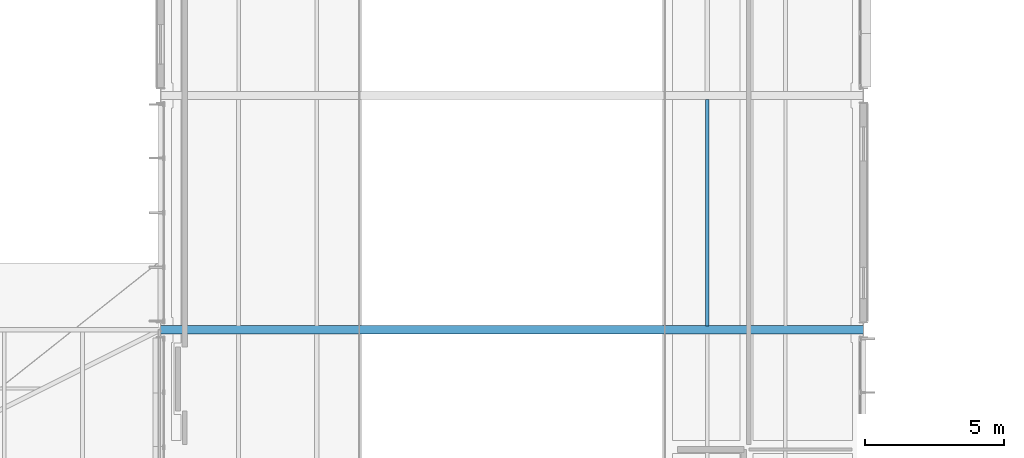
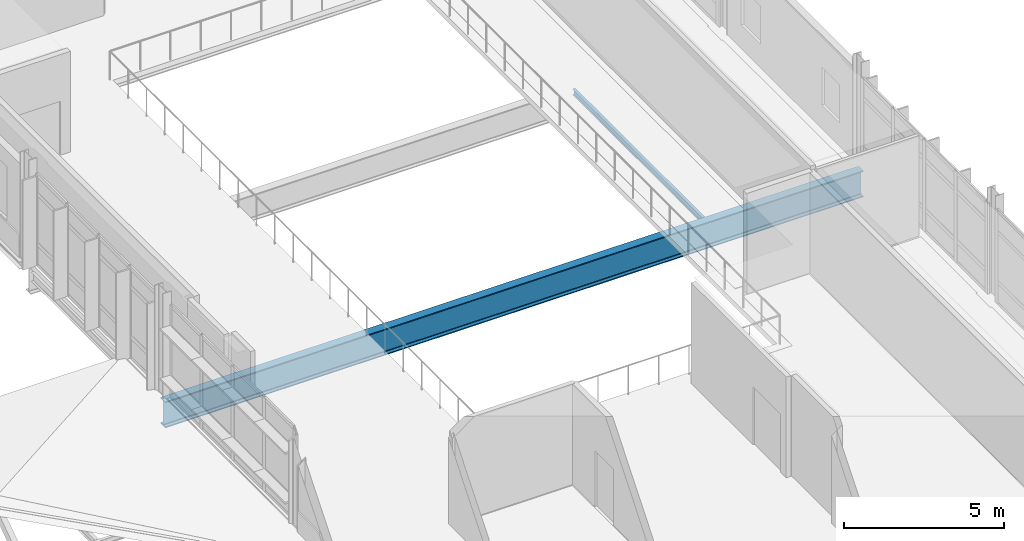
# One storey, part 35 of 151: 2 beams.
"""IFC4 building model written with IfcOpenShell, lengths in metres."""

from ifc_helpers import new_model, si_unit, direction, frame, origin, origin_2d, place, context, subcontext, project, spatial, i_section, extrude, material, material_profile, profile_set, type_object, element, save


model = new_model("IFC4")

# Units and contexts
model_context = context("Model", 3, precision=1e-05, world=origin(), true_north=direction((0.0, 1.0)))
body_context = subcontext(model_context, "Body", "Model", "MODEL_VIEW")
ifc_project = project(units=[si_unit("LENGTHUNIT", "METRE"), si_unit("AREAUNIT", "SQUARE_METRE"), si_unit("VOLUMEUNIT", "CUBIC_METRE"), si_unit("PLANEANGLEUNIT", "RADIAN"), si_unit("MASSUNIT", "GRAM", prefix="KILO")], contexts=[model_context])

# Site, building, storey
site_placement = place(None, origin())
site = spatial("IfcSite", under=ifc_project, at=site_placement, CompositionType="ELEMENT")
building_placement = place(site_placement, origin())
building = spatial("IfcBuilding", under=site, at=building_placement, Name="Mersafa Astral City Hall", CompositionType="ELEMENT")
storey_placement = place(building_placement, frame((0.0, 0.0, 9.89990234375)))
storey = spatial("IfcBuildingStorey", under=building, at=storey_placement, Name="L02", CompositionType="ELEMENT", Elevation=9.89990234375)

# Beams
ifc_material = material(Name="Steel S355", Category="steel")
ifc_material_profile_1 = material_profile(ifc_material, i_section(OverallWidth=0.110107421875, OverallDepth=0.219970703125, WebThickness=0.005859375, FlangeThickness=0.00927734375, FilletRadius=0.011962890625, at=origin_2d()), Name="IPE 220")
ifc_profile_set_1 = profile_set([ifc_material_profile_1], Name="Steel S355")
beam_type_1 = type_object("IfcBeamType", Name="STR-BM-JOIST-IPE220", PredefinedType="JOIST", material=ifc_profile_set_1)
beam_1_placement = place(storey_placement, frame((112.0, 58.945068359375, -0.309814453125), z_axis=(0.0, 1.0, 0.0), x_axis=(-1.0, 0.0, 0.0)))
element("IfcBeam", 1, at=beam_1_placement, inside=storey, type_object=beam_type_1, Name="L02 Composite secondary floor joist 478", PredefinedType="JOIST", context=body_context, shape_type="SweptSolid", body=[
    extrude(i_section(OverallWidth=0.110107421875, OverallDepth=0.219970703125, WebThickness=0.005859375, FlangeThickness=0.00927734375, FilletRadius=0.011962890625, at=origin_2d()), origin(), (0.0, 0.0, 1.0), 8.10986328125),
])
ifc_material_profile_2 = material_profile(ifc_material, i_section(OverallWidth=0.300048828125, OverallDepth=1.0, WebThickness=0.01904296875, FlangeThickness=0.035888671875, FilletRadius=0.030029296875, at=origin_2d()), Name="HEB 1000")
ifc_profile_set_2 = profile_set([ifc_material_profile_2], Name="Steel S355")
beam_type_2 = type_object("IfcBeamType", Name="STR-BM-PORTAL-HEB1000", PredefinedType="BEAM", material=ifc_profile_set_2)
beam_2_placement = place(storey_placement, frame((92.403076171875, 58.800048828125, -0.699951171875), z_axis=(1.0, 0.0, 0.0), x_axis=(0.0, 1.0, 0.0)))
element("IfcBeam", 2, at=beam_2_placement, inside=storey, type_object=beam_type_2, Name="L02 Public Service Hall clear-span portal girder 7", PredefinedType="BEAM", context=body_context, shape_type="SweptSolid", body=[
    extrude(i_section(OverallWidth=0.300048828125, OverallDepth=1.0, WebThickness=0.01904296875, FlangeThickness=0.035888671875, FilletRadius=0.030029296875, at=origin_2d()), origin(), (0.0, 0.0, 1.0), 25.19384765625),
])

save(model, "model.ifc")
